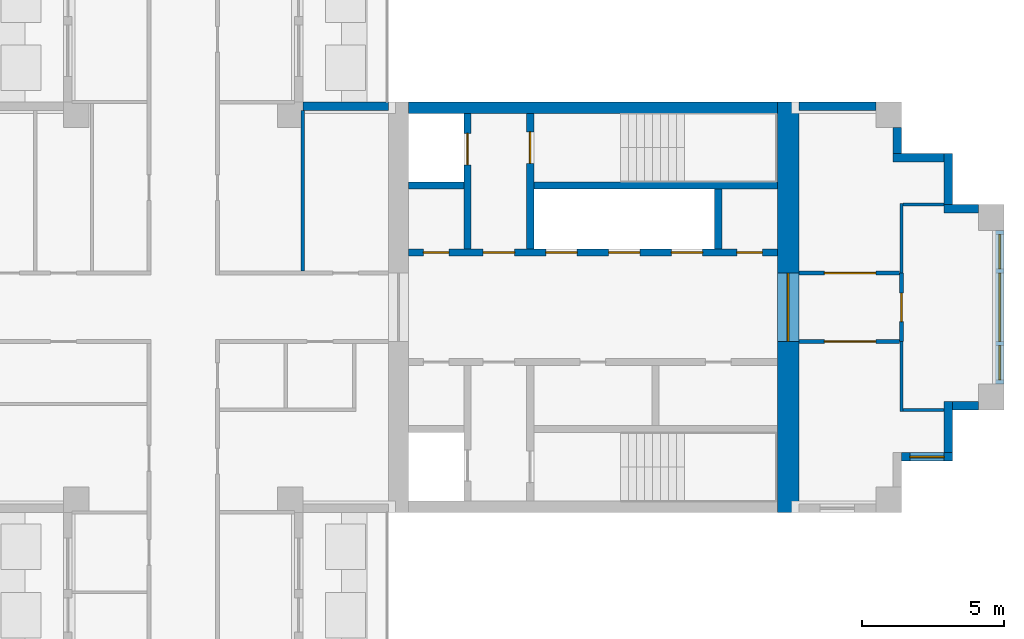
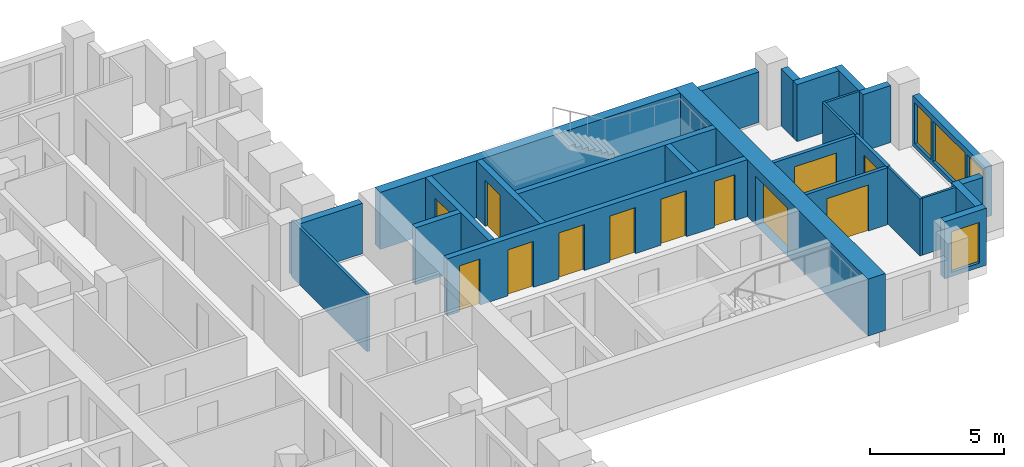
# One storey, part 6 of 10: 26 walls, 12 doors, 4 windows, 16 openings.
"""IFC4 building model written with IfcOpenShell, lengths in metres."""

from ifc_helpers import new_model, si_unit, direction, frame, frame_2d, origin, place, context, subcontext, project, spatial, rectangle, extrude, material, layer, layer_set, type_object, element, fill, save


model = new_model("IFC4")

# Units and contexts
model_context = context("Model", 3, precision=1e-05, world=origin(), true_north=direction((0.0, 1.0)))
body_context = subcontext(model_context, "Body", "Model", "MODEL_VIEW")
ifc_project = project(units=[si_unit("LENGTHUNIT", "METRE"), si_unit("AREAUNIT", "SQUARE_METRE"), si_unit("VOLUMEUNIT", "CUBIC_METRE"), si_unit("PLANEANGLEUNIT", "RADIAN"), si_unit("MASSUNIT", "GRAM", prefix="KILO")], contexts=[model_context])

# Site, building, storey
site_placement = place(None, origin())
site = spatial("IfcSite", under=ifc_project, at=site_placement, CompositionType="ELEMENT")
building_placement = place(site_placement, origin())
building = spatial("IfcBuilding", under=site, at=building_placement, Name="Fustian Cross Tower", CompositionType="ELEMENT")
storey_placement = place(building_placement, frame((0.0, 0.0, 204.89990234375)))
storey = spatial("IfcBuildingStorey", under=building, at=storey_placement, Name="L64", CompositionType="ELEMENT", Elevation=204.89990234375)

# Wall, opening, door
ifc_material_1 = material(Name="Plasterboard on steel stud", Category="steel")
ifc_layer_1 = layer(ifc_material_1, 0.14990234375)
ifc_layer_set_1 = layer_set([ifc_layer_1], Name="Plasterboard on steel stud")
wall_type_1 = type_object("IfcWallType", Name="COMPARTMENT WALL 150 EI 60", PredefinedType="PARTITIONING", material=ifc_layer_set_1)
wall_1_placement = place(storey_placement, frame((21.60009765625, -1.199951171875, 0.0), z_axis=(0.0, 0.0, 1.0), x_axis=(1.0, 0.0, 0.0)))
wall_1 = element("IfcWall", 1, at=wall_1_placement, inside=storey, type_object=wall_type_1, Name="Partition 48", PredefinedType="PARTITIONING", context=body_context, shape_type="SweptSolid", body=[
    extrude(rectangle(XDim=3.52490234375, YDim=0.14990234375, at=frame_2d((1.762451171875, 0.0))), origin(), (0.0, 0.0, 1.0), 2.60009765625),
])
opening_1_placement = place(wall_1_placement, frame((0.89990234375, 0.0, 0.0)))
opening_1 = element("IfcOpeningElement", 2, at=opening_1_placement, cuts=wall_1, Name="Opening D29013", PredefinedType="OPENING", context=body_context, shape_type="SweptSolid", body=[
    extrude(rectangle(XDim=1.800048828125, YDim=2.10009765625, at=frame_2d((0.89990234375, 1.050048828125))), frame((0.0, 0.0849609375, 0.0), z_axis=(0.0, -1.0, 0.0), x_axis=(1.0, 0.0, 0.0)), (0.0, 0.0, 1.0), 0.169921875),
])
ifc_material_2 = material(Name="Timber fire door set", Category="wood")
door_type_1 = type_object("IfcDoorType", Name="FIRE DOUBLE DOOR 1800 FD30S", OperationType="DOUBLE_DOOR_DOUBLE_SWING", PredefinedType="DOOR", material=ifc_material_2)
door_1_placement = place(opening_1_placement, origin())
door_1 = element("IfcDoor", 3, at=door_1_placement, inside=storey, type_object=door_type_1, Name="Door D29013", OperationType="DOUBLE_DOOR_DOUBLE_SWING", OverallHeight=2.10009765625, OverallWidth=1.800048828125, PredefinedType="DOOR", context=body_context, shape_type="SweptSolid", body=[
    extrude(rectangle(XDim=1.800048828125, YDim=2.10009765625, at=frame_2d((0.89990234375, 1.050048828125))), frame((0.0, 0.02490234375, 0.0), z_axis=(0.0, -1.0, 0.0), x_axis=(1.0, 0.0, 0.0)), (0.0, 0.0, 1.0), 0.050048828125),
])
fill(opening_1, door_1)

wall_2_placement = place(storey_placement, frame((21.60009765625, 1.199951171875, 0.0), z_axis=(0.0, 0.0, 1.0), x_axis=(1.0, 0.0, 0.0)))
wall_2 = element("IfcWall", 4, at=wall_2_placement, inside=storey, type_object=wall_type_1, Name="Partition 49", PredefinedType="PARTITIONING", context=body_context, shape_type="SweptSolid", body=[
    extrude(rectangle(XDim=3.52490234375, YDim=0.14990234375, at=frame_2d((1.762451171875, 0.0))), origin(), (0.0, 0.0, 1.0), 2.60009765625),
])
opening_2_placement = place(wall_2_placement, frame((0.89990234375, 0.0, 0.0)))
opening_2 = element("IfcOpeningElement", 5, at=opening_2_placement, cuts=wall_2, Name="Opening D29012", PredefinedType="OPENING", context=body_context, shape_type="SweptSolid", body=[
    extrude(rectangle(XDim=1.800048828125, YDim=2.10009765625, at=frame_2d((0.89990234375, 1.050048828125))), frame((0.0, 0.0849609375, 0.0), z_axis=(0.0, -1.0, 0.0), x_axis=(1.0, 0.0, 0.0)), (0.0, 0.0, 1.0), 0.169921875),
])
door_2_placement = place(opening_2_placement, frame((1.800048828125, 0.0, 0.0), z_axis=(0.0, 0.0, 1.0), x_axis=(-1.0, 0.0, 0.0)))
door_2 = element("IfcDoor", 6, at=door_2_placement, inside=storey, type_object=door_type_1, Name="Door D29012", OperationType="DOUBLE_DOOR_DOUBLE_SWING", OverallHeight=2.10009765625, OverallWidth=1.800048828125, PredefinedType="DOOR", context=body_context, shape_type="SweptSolid", body=[
    extrude(rectangle(XDim=1.800048828125, YDim=2.10009765625, at=frame_2d((0.89990234375, 1.050048828125))), frame((0.0, 0.02490234375, 0.0), z_axis=(0.0, -1.0, 0.0), x_axis=(1.0, 0.0, 0.0)), (0.0, 0.0, 1.0), 0.050048828125),
])
fill(opening_2, door_2)

wall_3_placement = place(storey_placement, frame((25.199951171875, -1.199951171875, 0.0), z_axis=(0.0, 0.0, 1.0), x_axis=(0.0, 1.0, 0.0)))
wall_3 = element("IfcWall", 7, at=wall_3_placement, inside=storey, type_object=wall_type_1, Name="Partition 52", PredefinedType="PARTITIONING", context=body_context, shape_type="SweptSolid", body=[
    extrude(rectangle(XDim=2.39990234375, YDim=0.14990234375, at=frame_2d((1.199951171875, 0.0))), origin(), (0.0, 0.0, 1.0), 2.60009765625),
])
opening_3_placement = place(wall_3_placement, frame((0.699951171875, 0.0, 0.0)))
opening_3 = element("IfcOpeningElement", 8, at=opening_3_placement, cuts=wall_3, Name="Opening D29011", PredefinedType="OPENING", context=body_context, shape_type="SweptSolid", body=[
    extrude(rectangle(XDim=1.0, YDim=2.10009765625, at=frame_2d((0.5, 1.050048828125))), frame((0.0, 0.0849609375, 0.0), z_axis=(0.0, -1.0, 0.0), x_axis=(1.0, 0.0, 0.0)), (0.0, 0.0, 1.0), 0.169921875),
])
ifc_material_3 = material(Name="Timber fire door set", Category="wood")
door_type_2 = type_object("IfcDoorType", Name="FIRE SWING DOOR 1000 FD30S", OperationType="SINGLE_SWING_LEFT", PredefinedType="DOOR", material=ifc_material_3)
door_3_placement = place(opening_3_placement, frame((1.0, 0.0, 0.0), z_axis=(0.0, 0.0, 1.0), x_axis=(-1.0, 0.0, 0.0)))
door_3 = element("IfcDoor", 9, at=door_3_placement, inside=storey, type_object=door_type_2, Name="Door D29011", OperationType="SINGLE_SWING_RIGHT", OverallHeight=2.10009765625, OverallWidth=1.0, PredefinedType="DOOR", context=body_context, shape_type="SweptSolid", body=[
    extrude(rectangle(XDim=1.0, YDim=2.10009765625, at=frame_2d((0.5, 1.050048828125))), frame((0.0, 0.02490234375, 0.0), z_axis=(0.0, -1.0, 0.0), x_axis=(1.0, 0.0, 0.0)), (0.0, 0.0, 1.0), 0.050048828125),
])
fill(opening_3, door_3)

ifc_material_4 = material(Name="Concrete C50/60", Category="concrete")
ifc_layer_2 = layer(ifc_material_4, 0.75)
ifc_layer_set_2 = layer_set([ifc_layer_2], Name="Concrete C50/60")
wall_type_2 = type_object("IfcWallType", Name="CORE END WALL 750 C50/60", PredefinedType="SHEAR", material=ifc_layer_set_2)
wall_4_placement = place(storey_placement, frame((21.22509765625, -7.199951171875, 0.0), z_axis=(0.0, 0.0, 1.0), x_axis=(0.0, 1.0, 0.0)))
wall_4 = element("IfcWall", 10, at=wall_4_placement, inside=storey, type_object=wall_type_2, Name="Core end wall", PredefinedType="SHEAR", context=body_context, shape_type="SweptSolid", body=[
    extrude(rectangle(XDim=14.39990234375, YDim=0.75, at=frame_2d((7.199951171875, 0.0))), origin(), (0.0, 0.0, 1.0), 2.60009765625),
])
opening_4_placement = place(wall_4_placement, frame((6.0, 0.0, 0.0)))
opening_4 = element("IfcOpeningElement", 11, at=opening_4_placement, cuts=wall_4, Name="Opening CD-27-13", PredefinedType="OPENING", context=body_context, shape_type="SweptSolid", body=[
    extrude(rectangle(XDim=2.39990234375, YDim=2.199951171875, at=frame_2d((1.199951171875, 1.10009765625))), frame((0.0, 0.385009765625, 0.0), z_axis=(0.0, -1.0, 0.0), x_axis=(1.0, 0.0, 0.0)), (0.0, 0.0, 1.0), 0.77001953125),
])
ifc_material_5 = material(Name="Steel", Category="steel")
door_type_3 = type_object("IfcDoorType", Name="FIRE DOOR FD30S DOUBLE 2400X2200", OperationType="DOUBLE_DOOR_DOUBLE_SWING", PredefinedType="DOOR", material=ifc_material_5)
door_4_placement = place(opening_4_placement, origin())
door_4 = element("IfcDoor", 12, at=door_4_placement, inside=storey, type_object=door_type_3, Name="Core door CD-27-13", OperationType="DOUBLE_DOOR_DOUBLE_SWING", OverallHeight=2.199951171875, OverallWidth=2.39990234375, PredefinedType="DOOR", context=body_context, shape_type="SweptSolid", body=[
    extrude(rectangle(XDim=2.39990234375, YDim=2.199951171875, at=frame_2d((1.199951171875, 1.10009765625))), frame((0.0, 0.02490234375, 0.0), z_axis=(0.0, -1.0, 0.0), x_axis=(1.0, 0.0, 0.0)), (0.0, 0.0, 1.0), 0.050048828125),
])
fill(opening_4, door_4)

# Wall
ifc_material_6 = material(Name="Concrete C50/60", Category="concrete")
ifc_layer_3 = layer(ifc_material_6, 0.39990234375)
ifc_layer_set_3 = layer_set([ifc_layer_3], Name="Concrete C50/60")
wall_type_3 = type_object("IfcWallType", Name="CORE FACADE WALL 400 C50/60", PredefinedType="SHEAR", material=ifc_layer_set_3)
wall_5_placement = place(storey_placement, frame((7.89990234375, 7.0, 0.0), z_axis=(0.0, 0.0, 1.0), x_axis=(1.0, 0.0, 0.0)))
element("IfcWall", 13, at=wall_5_placement, inside=storey, type_object=wall_type_3, Name="Core facade wall", PredefinedType="SHEAR", context=body_context, shape_type="SweptSolid", body=[
    extrude(rectangle(XDim=12.9501953125, YDim=0.39990234375, at=frame_2d((6.47509765625, 0.0))), origin(), (0.0, 0.0, 1.0), 2.60009765625),
])

# Wall, openings, doors
ifc_material_7 = material(Name="Concrete C50/60", Category="concrete")
ifc_layer_4 = layer(ifc_material_7, 0.25)
ifc_layer_set_4 = layer_set([ifc_layer_4], Name="Concrete C50/60")
wall_type_4 = type_object("IfcWallType", Name="CORE LOBBY WALL 250 C50/60", PredefinedType="SHEAR", material=ifc_layer_set_4)
wall_6_placement = place(storey_placement, frame((7.89990234375, 1.925048828125, 0.0), z_axis=(0.0, 0.0, 1.0), x_axis=(1.0, 0.0, 0.0)))
wall_6 = element("IfcWall", 14, at=wall_6_placement, inside=storey, type_object=wall_type_4, Name="Core lobby wall", PredefinedType="SHEAR", context=body_context, shape_type="SweptSolid", body=[
    extrude(rectangle(XDim=12.9501953125, YDim=0.25, at=frame_2d((6.47509765625, 0.0))), origin(), (0.0, 0.0, 1.0), 2.60009765625),
])
opening_5_placement = place(wall_6_placement, frame((4.824951171875, 0.0, 0.0)))
opening_5 = element("IfcOpeningElement", 15, at=opening_5_placement, cuts=wall_6, Name="Opening LD", PredefinedType="OPENING", context=body_context, shape_type="SweptSolid", body=[
    extrude(rectangle(XDim=1.10009765625, YDim=2.10009765625, at=frame_2d((0.550048828125, 1.050048828125))), frame((0.0, 0.135009765625, 0.0), z_axis=(0.0, -1.0, 0.0), x_axis=(1.0, 0.0, 0.0)), (0.0, 0.0, 1.0), 0.27001953125),
])
opening_6_placement = place(wall_6_placement, frame((7.02490234375, 0.0, 0.0)))
opening_6 = element("IfcOpeningElement", 16, at=opening_6_placement, cuts=wall_6, Name="Opening LD", PredefinedType="OPENING", context=body_context, shape_type="SweptSolid", body=[
    extrude(rectangle(XDim=1.10009765625, YDim=2.10009765625, at=frame_2d((0.550048828125, 1.050048828125))), frame((0.0, 0.135009765625, 0.0), z_axis=(0.0, -1.0, 0.0), x_axis=(1.0, 0.0, 0.0)), (0.0, 0.0, 1.0), 0.27001953125),
])
opening_7_placement = place(wall_6_placement, frame((9.22509765625, 0.0, 0.0)))
opening_7 = element("IfcOpeningElement", 17, at=opening_7_placement, cuts=wall_6, Name="Opening LD", PredefinedType="OPENING", context=body_context, shape_type="SweptSolid", body=[
    extrude(rectangle(XDim=1.10009765625, YDim=2.10009765625, at=frame_2d((0.550048828125, 1.050048828125))), frame((0.0, 0.135009765625, 0.0), z_axis=(0.0, -1.0, 0.0), x_axis=(1.0, 0.0, 0.0)), (0.0, 0.0, 1.0), 0.27001953125),
])
opening_8_placement = place(wall_6_placement, frame((0.52490234375, 0.0, 0.0)))
opening_8 = element("IfcOpeningElement", 18, at=opening_8_placement, cuts=wall_6, Name="Opening CD-27-08", PredefinedType="OPENING", context=body_context, shape_type="SweptSolid", body=[
    extrude(rectangle(XDim=0.89990234375, YDim=2.10009765625, at=frame_2d((0.449951171875, 1.050048828125))), frame((0.0, 0.135009765625, 0.0), z_axis=(0.0, -1.0, 0.0), x_axis=(1.0, 0.0, 0.0)), (0.0, 0.0, 1.0), 0.27001953125),
])
opening_9_placement = place(wall_6_placement, frame((2.625, 0.0, 0.0)))
opening_9 = element("IfcOpeningElement", 19, at=opening_9_placement, cuts=wall_6, Name="Opening CD-27-10", PredefinedType="OPENING", context=body_context, shape_type="SweptSolid", body=[
    extrude(rectangle(XDim=1.10009765625, YDim=2.10009765625, at=frame_2d((0.550048828125, 1.050048828125))), frame((0.0, 0.135009765625, 0.0), z_axis=(0.0, -1.0, 0.0), x_axis=(1.0, 0.0, 0.0)), (0.0, 0.0, 1.0), 0.27001953125),
])
opening_10_placement = place(wall_6_placement, frame((11.52490234375, 0.0, 0.0)))
opening_10 = element("IfcOpeningElement", 20, at=opening_10_placement, cuts=wall_6, Name="Opening CD-27-14", PredefinedType="OPENING", context=body_context, shape_type="SweptSolid", body=[
    extrude(rectangle(XDim=0.89990234375, YDim=2.10009765625, at=frame_2d((0.449951171875, 1.050048828125))), frame((0.0, 0.135009765625, 0.0), z_axis=(0.0, -1.0, 0.0), x_axis=(1.0, 0.0, 0.0)), (0.0, 0.0, 1.0), 0.27001953125),
])
ifc_material_8 = material(Name="Steel", Category="steel")
door_type_4 = type_object("IfcDoorType", Name="FIRE DOOR FD30S 900X2100", OperationType="SINGLE_SWING_LEFT", PredefinedType="DOOR", material=ifc_material_8)
door_5_placement = place(opening_10_placement, origin())
door_5 = element("IfcDoor", 21, at=door_5_placement, inside=storey, type_object=door_type_4, Name="Core door CD-27-14", OperationType="SINGLE_SWING_LEFT", OverallHeight=2.10009765625, OverallWidth=0.89990234375, PredefinedType="DOOR", context=body_context, shape_type="SweptSolid", body=[
    extrude(rectangle(XDim=0.89990234375, YDim=2.10009765625, at=frame_2d((0.449951171875, 1.050048828125))), frame((0.0, 0.02490234375, 0.0), z_axis=(0.0, -1.0, 0.0), x_axis=(1.0, 0.0, 0.0)), (0.0, 0.0, 1.0), 0.050048828125),
])
fill(opening_10, door_5)
ifc_material_9 = material(Name="Steel", Category="steel")
door_type_5 = type_object("IfcDoorType", Name="FIRE DOOR FD60S 1100X2100", OperationType="SINGLE_SWING_LEFT", PredefinedType="DOOR", material=ifc_material_9)
door_6_placement = place(opening_9_placement, frame((1.10009765625, 0.0, 0.0), z_axis=(0.0, 0.0, 1.0), x_axis=(-1.0, 0.0, 0.0)))
door_6 = element("IfcDoor", 22, at=door_6_placement, inside=storey, type_object=door_type_5, Name="Core door CD-27-10", OperationType="SINGLE_SWING_RIGHT", OverallHeight=2.10009765625, OverallWidth=1.10009765625, PredefinedType="DOOR", context=body_context, shape_type="SweptSolid", body=[
    extrude(rectangle(XDim=1.10009765625, YDim=2.10009765625, at=frame_2d((0.550048828125, 1.050048828125))), frame((0.0, 0.02490234375, 0.0), z_axis=(0.0, -1.0, 0.0), x_axis=(1.0, 0.0, 0.0)), (0.0, 0.0, 1.0), 0.050048828125),
])
fill(opening_9, door_6)
ifc_material_10 = material(Name="Steel", Category="steel")
door_type_6 = type_object("IfcDoorType", Name="FIRE DOOR FD60S 900X2100", OperationType="SINGLE_SWING_LEFT", PredefinedType="DOOR", material=ifc_material_10)
door_7_placement = place(opening_8_placement, origin())
door_7 = element("IfcDoor", 23, at=door_7_placement, inside=storey, type_object=door_type_6, Name="Core door CD-27-08", OperationType="SINGLE_SWING_LEFT", OverallHeight=2.10009765625, OverallWidth=0.89990234375, PredefinedType="DOOR", context=body_context, shape_type="SweptSolid", body=[
    extrude(rectangle(XDim=0.89990234375, YDim=2.10009765625, at=frame_2d((0.449951171875, 1.050048828125))), frame((0.0, 0.02490234375, 0.0), z_axis=(0.0, -1.0, 0.0), x_axis=(1.0, 0.0, 0.0)), (0.0, 0.0, 1.0), 0.050048828125),
])
fill(opening_8, door_7)
ifc_material_11 = material(Name="Stainless steel", Category="steel")
door_type_7 = type_object("IfcDoorType", Name="LIFT LANDING DOOR 1100X2100", OperationType="SLIDING_TO_LEFT", PredefinedType="DOOR", material=ifc_material_11)
door_8_placement = place(opening_5_placement, origin())
door_8 = element("IfcDoor", 24, at=door_8_placement, inside=storey, type_object=door_type_7, Name="Landing door HR1", OperationType="SLIDING_TO_LEFT", OverallHeight=2.10009765625, OverallWidth=1.10009765625, PredefinedType="DOOR", context=body_context, shape_type="SweptSolid", body=[
    extrude(rectangle(XDim=1.10009765625, YDim=2.10009765625, at=frame_2d((0.550048828125, 1.050048828125))), frame((0.0, 0.02490234375, 0.0), z_axis=(0.0, -1.0, 0.0), x_axis=(1.0, 0.0, 0.0)), (0.0, 0.0, 1.0), 0.050048828125),
])
fill(opening_5, door_8)
door_9_placement = place(opening_6_placement, origin())
door_9 = element("IfcDoor", 25, at=door_9_placement, inside=storey, type_object=door_type_7, Name="Landing door HR2", OperationType="SLIDING_TO_LEFT", OverallHeight=2.10009765625, OverallWidth=1.10009765625, PredefinedType="DOOR", context=body_context, shape_type="SweptSolid", body=[
    extrude(rectangle(XDim=1.10009765625, YDim=2.10009765625, at=frame_2d((0.550048828125, 1.050048828125))), frame((0.0, 0.02490234375, 0.0), z_axis=(0.0, -1.0, 0.0), x_axis=(1.0, 0.0, 0.0)), (0.0, 0.0, 1.0), 0.050048828125),
])
fill(opening_6, door_9)
door_10_placement = place(opening_7_placement, origin())
door_10 = element("IfcDoor", 26, at=door_10_placement, inside=storey, type_object=door_type_7, Name="Landing door HR3", OperationType="SLIDING_TO_LEFT", OverallHeight=2.10009765625, OverallWidth=1.10009765625, PredefinedType="DOOR", context=body_context, shape_type="SweptSolid", body=[
    extrude(rectangle(XDim=1.10009765625, YDim=2.10009765625, at=frame_2d((0.550048828125, 1.050048828125))), frame((0.0, 0.02490234375, 0.0), z_axis=(0.0, -1.0, 0.0), x_axis=(1.0, 0.0, 0.0)), (0.0, 0.0, 1.0), 0.050048828125),
])
fill(opening_7, door_10)

# Walls
ifc_material_12 = material(Name="Concrete C50/60", Category="concrete")
ifc_layer_5 = layer(ifc_material_12, 0.25)
ifc_layer_set_5 = layer_set([ifc_layer_5], Name="Concrete C50/60")
wall_type_5 = type_object("IfcWallType", Name="CORE SHAFT WALL 250 C50/60", PredefinedType="SHEAR", material=ifc_layer_set_5)
wall_7_placement = place(storey_placement, frame((7.89990234375, 4.27490234375, 0.0), z_axis=(0.0, 0.0, 1.0), x_axis=(1.0, 0.0, 0.0)))
element("IfcWall", 27, at=wall_7_placement, inside=storey, type_object=wall_type_5, Name="Core shaft wall", PredefinedType="SHEAR", context=body_context, shape_type="SweptSolid", body=[
    extrude(rectangle(XDim=1.9501953125, YDim=0.25, at=frame_2d((0.97509765625, 0.0))), origin(), (0.0, 0.0, 1.0), 2.60009765625),
])
wall_8_placement = place(storey_placement, frame((12.300048828125, 4.27490234375, 0.0), z_axis=(0.0, 0.0, 1.0), x_axis=(1.0, 0.0, 0.0)))
element("IfcWall", 28, at=wall_8_placement, inside=storey, type_object=wall_type_5, Name="Core shaft wall", PredefinedType="SHEAR", context=body_context, shape_type="SweptSolid", body=[
    extrude(rectangle(XDim=8.550048828125, YDim=0.25, at=frame_2d((4.27490234375, 0.0))), origin(), (0.0, 0.0, 1.0), 2.60009765625),
])

# Wall, opening, door
wall_9_placement = place(storey_placement, frame((9.97509765625, 2.050048828125, 0.0), z_axis=(0.0, 0.0, 1.0), x_axis=(0.0, 1.0, 0.0)))
wall_9 = element("IfcWall", 29, at=wall_9_placement, inside=storey, type_object=wall_type_5, Name="Core shaft wall", PredefinedType="SHEAR", context=body_context, shape_type="SweptSolid", body=[
    extrude(rectangle(XDim=4.75, YDim=0.25, at=frame_2d((2.375, 0.0))), origin(), (0.0, 0.0, 1.0), 2.60009765625),
])
opening_11_placement = place(wall_9_placement, frame((2.949951171875, 0.0, 0.0)))
opening_11 = element("IfcOpeningElement", 30, at=opening_11_placement, cuts=wall_9, Name="Opening LD", PredefinedType="OPENING", context=body_context, shape_type="SweptSolid", body=[
    extrude(rectangle(XDim=1.10009765625, YDim=2.10009765625, at=frame_2d((0.550048828125, 1.050048828125))), frame((0.0, 0.135009765625, 0.0), z_axis=(0.0, -1.0, 0.0), x_axis=(1.0, 0.0, 0.0)), (0.0, 0.0, 1.0), 0.27001953125),
])
door_11_placement = place(opening_11_placement, origin())
door_11 = element("IfcDoor", 31, at=door_11_placement, inside=storey, type_object=door_type_7, Name="Landing door FL1", OperationType="SLIDING_TO_LEFT", OverallHeight=2.10009765625, OverallWidth=1.10009765625, PredefinedType="DOOR", context=body_context, shape_type="SweptSolid", body=[
    extrude(rectangle(XDim=1.10009765625, YDim=2.10009765625, at=frame_2d((0.550048828125, 1.050048828125))), frame((0.0, 0.02490234375, 0.0), z_axis=(0.0, -1.0, 0.0), x_axis=(1.0, 0.0, 0.0)), (0.0, 0.0, 1.0), 0.050048828125),
])
fill(opening_11, door_11)

wall_10_placement = place(storey_placement, frame((12.175048828125, 2.050048828125, 0.0), z_axis=(0.0, 0.0, 1.0), x_axis=(0.0, 1.0, 0.0)))
wall_10 = element("IfcWall", 32, at=wall_10_placement, inside=storey, type_object=wall_type_5, Name="Core shaft wall", PredefinedType="SHEAR", context=body_context, shape_type="SweptSolid", body=[
    extrude(rectangle(XDim=4.75, YDim=0.25, at=frame_2d((2.375, 0.0))), origin(), (0.0, 0.0, 1.0), 2.60009765625),
])
opening_12_placement = place(wall_10_placement, frame((3.0, 0.0, 0.0)))
opening_12 = element("IfcOpeningElement", 33, at=opening_12_placement, cuts=wall_10, Name="Opening CD-27-06", PredefinedType="OPENING", context=body_context, shape_type="SweptSolid", body=[
    extrude(rectangle(XDim=1.10009765625, YDim=2.10009765625, at=frame_2d((0.550048828125, 1.050048828125))), frame((0.0, 0.135009765625, 0.0), z_axis=(0.0, -1.0, 0.0), x_axis=(1.0, 0.0, 0.0)), (0.0, 0.0, 1.0), 0.27001953125),
])
door_12_placement = place(opening_12_placement, frame((1.10009765625, 0.0, 0.0), z_axis=(0.0, 0.0, 1.0), x_axis=(-1.0, 0.0, 0.0)))
door_12 = element("IfcDoor", 34, at=door_12_placement, inside=storey, type_object=door_type_5, Name="Core door CD-27-06", OperationType="SINGLE_SWING_RIGHT", OverallHeight=2.10009765625, OverallWidth=1.10009765625, PredefinedType="DOOR", context=body_context, shape_type="SweptSolid", body=[
    extrude(rectangle(XDim=1.10009765625, YDim=2.10009765625, at=frame_2d((0.550048828125, 1.050048828125))), frame((0.0, 0.02490234375, 0.0), z_axis=(0.0, -1.0, 0.0), x_axis=(1.0, 0.0, 0.0)), (0.0, 0.0, 1.0), 0.050048828125),
])
fill(opening_12, door_12)

# Walls
ifc_material_13 = material(Name="Plasterboard on steel stud", Category="steel")
ifc_layer_6 = layer(ifc_material_13, 0.10009765625)
ifc_layer_set_6 = layer_set([ifc_layer_6], Name="Plasterboard on steel stud")
wall_type_6 = type_object("IfcWallType", Name="PARTITION 100 STUD", PredefinedType="PARTITIONING", material=ifc_layer_set_6)
wall_11_placement = place(storey_placement, frame((25.199951171875, -3.64990234375, 0.0), z_axis=(0.0, 0.0, 1.0), x_axis=(0.0, 1.0, 0.0)))
element("IfcWall", 35, at=wall_11_placement, inside=storey, type_object=wall_type_6, Name="Partition 50", PredefinedType="PARTITIONING", context=body_context, shape_type="SweptSolid", body=[
    extrude(rectangle(XDim=2.449951171875, YDim=0.10009765625, at=frame_2d((1.22509765625, 0.0))), origin(), (0.0, 0.0, 1.0), 2.60009765625),
])
wall_12_placement = place(storey_placement, frame((25.25, -3.60009765625, 0.0), z_axis=(0.0, 0.0, 1.0), x_axis=(1.0, 0.0, 0.0)))
element("IfcWall", 36, at=wall_12_placement, inside=storey, type_object=wall_type_6, Name="Partition 51", PredefinedType="PARTITIONING", context=body_context, shape_type="SweptSolid", body=[
    extrude(rectangle(XDim=1.449951171875, YDim=0.10009765625, at=frame_2d((0.72509765625, 0.0))), origin(), (0.0, 0.0, 1.0), 2.60009765625),
])
wall_13_placement = place(storey_placement, frame((25.199951171875, 1.199951171875, 0.0), z_axis=(0.0, 0.0, 1.0), x_axis=(0.0, 1.0, 0.0)))
element("IfcWall", 37, at=wall_13_placement, inside=storey, type_object=wall_type_6, Name="Partition 53", PredefinedType="PARTITIONING", context=body_context, shape_type="SweptSolid", body=[
    extrude(rectangle(XDim=2.449951171875, YDim=0.10009765625, at=frame_2d((1.22509765625, 0.0))), origin(), (0.0, 0.0, 1.0), 2.60009765625),
])
wall_14_placement = place(storey_placement, frame((25.25, 3.60009765625, 0.0), z_axis=(0.0, 0.0, 1.0), x_axis=(1.0, 0.0, 0.0)))
element("IfcWall", 38, at=wall_14_placement, inside=storey, type_object=wall_type_6, Name="Partition 54", PredefinedType="PARTITIONING", context=body_context, shape_type="SweptSolid", body=[
    extrude(rectangle(XDim=1.449951171875, YDim=0.10009765625, at=frame_2d((0.72509765625, 0.0))), origin(), (0.0, 0.0, 1.0), 2.60009765625),
])
ifc_material_14 = material(Name="Concrete C40/50", Category="concrete")
ifc_layer_7 = layer(ifc_material_14, 0.25)
ifc_layer_set_7 = layer_set([ifc_layer_7], Name="Concrete C40/50")
wall_type_7 = type_object("IfcWallType", Name="SHAFT PARTITION WALL 250 C40/50", PredefinedType="PARTITIONING", material=ifc_layer_set_7)
wall_15_placement = place(storey_placement, frame((18.77490234375, 2.050048828125, 0.0), z_axis=(0.0, 0.0, 1.0), x_axis=(0.0, 1.0, 0.0)))
element("IfcWall", 39, at=wall_15_placement, inside=storey, type_object=wall_type_7, Name="Core shaft wall", PredefinedType="PARTITIONING", context=body_context, shape_type="SweptSolid", body=[
    extrude(rectangle(XDim=2.099853515625, YDim=0.25, at=frame_2d((1.0498046875, 0.0))), origin(), (0.0, 0.0, 1.0), 2.60009765625),
])
ifc_material_15 = material(Name="Plasterboard on steel stud", Category="steel")
ifc_layer_8 = layer(ifc_material_15, 0.125)
ifc_layer_set_8 = layer_set([ifc_layer_8], Name="Plasterboard on steel stud")
wall_type_8 = type_object("IfcWallType", Name="WET WALL 125 STUD", PredefinedType="PARTITIONING", material=ifc_layer_set_8)
wall_16_placement = place(storey_placement, frame((4.199951171875, 1.27490234375, 0.0), z_axis=(0.0, 0.0, 1.0), x_axis=(0.0, 1.0, 0.0)))
element("IfcWall", 40, at=wall_16_placement, inside=storey, type_object=wall_type_8, Name="Partition 46", PredefinedType="PARTITIONING", context=body_context, shape_type="SweptSolid", body=[
    extrude(rectangle(XDim=5.625, YDim=0.125, at=frame_2d((2.8125, 0.0))), origin(), (0.0, 0.0, 1.0), 2.60009765625),
])

# Wall, opening, window
ifc_material_16 = material(Name="Dark aluminium cladding on insulated backing wall", Category="aluminium")
ifc_layer_9 = layer(ifc_material_16, 0.300048828125)
ifc_layer_set_9 = layer_set([ifc_layer_9], Name="Dark aluminium cladding on insulated backing wall")
wall_type_9 = type_object("IfcWallType", Name="XW1 EXTERNAL WALL 300", PredefinedType="SOLIDWALL", material=ifc_layer_set_9)
wall_17_placement = place(storey_placement, frame((25.199951171875, -5.25, 0.0), z_axis=(0.0, 0.0, 1.0), x_axis=(1.0, 0.0, 0.0)))
wall_17 = element("IfcWall", 41, at=wall_17_placement, inside=storey, type_object=wall_type_9, Name="External wall", PredefinedType="SOLIDWALL", context=body_context, shape_type="SweptSolid", body=[
    extrude(rectangle(XDim=1.800048828125, YDim=0.300048828125, at=frame_2d((0.89990234375, 0.0))), origin(), (0.0, 0.0, 1.0), 2.60009765625),
])
opening_13_placement = place(wall_17_placement, frame((0.300048828125, 0.0, 0.199951171875)))
opening_13 = element("IfcOpeningElement", 42, at=opening_13_placement, cuts=wall_17, Name="Opening WN3", PredefinedType="OPENING", context=body_context, shape_type="SweptSolid", body=[
    extrude(rectangle(XDim=1.199951171875, YDim=1.85009765625, at=frame_2d((0.60009765625, 0.925048828125))), frame((0.0, 0.159912109375, 0.0), z_axis=(0.0, -1.0, 0.0), x_axis=(1.0, 0.0, 0.0)), (0.0, 0.0, 1.0), 0.320068359375),
])
ifc_material_17 = material(Name="Dark anodised aluminium and double glazing", Category="aluminium")
window_type_1 = type_object("IfcWindowType", Name="WN3 WINDOW 1200X1850", PartitioningType="SINGLE_PANEL", PredefinedType="WINDOW", material=ifc_material_17)
window_1_placement = place(opening_13_placement, origin())
window_1 = element("IfcWindow", 43, at=window_1_placement, inside=storey, type_object=window_type_1, Name="Window", OverallHeight=1.85009765625, OverallWidth=1.199951171875, PartitioningType="SINGLE_PANEL", PredefinedType="WINDOW", context=body_context, shape_type="SweptSolid", body=[
    extrude(rectangle(XDim=1.199951171875, YDim=1.85009765625, at=frame_2d((0.60009765625, 0.925048828125))), frame((0.0, 0.030029296875, 0.0), z_axis=(0.0, -1.0, 0.0), x_axis=(1.0, 0.0, 0.0)), (0.0, 0.0, 1.0), 0.06005859375),
])
fill(opening_13, window_1)

# Walls
wall_18_placement = place(storey_placement, frame((26.85009765625, -5.10009765625, 0.0), z_axis=(0.0, 0.0, 1.0), x_axis=(0.0, 1.0, 0.0)))
element("IfcWall", 44, at=wall_18_placement, inside=storey, type_object=wall_type_9, Name="External wall", PredefinedType="SOLIDWALL", context=body_context, shape_type="SweptSolid", body=[
    extrude(rectangle(XDim=1.800048828125, YDim=0.300048828125, at=frame_2d((0.89990234375, 0.0))), origin(), (0.0, 0.0, 1.0), 2.60009765625),
])
wall_19_placement = place(storey_placement, frame((27.0, -3.449951171875, 0.0), z_axis=(0.0, 0.0, 1.0), x_axis=(1.0, 0.0, 0.0)))
element("IfcWall", 45, at=wall_19_placement, inside=storey, type_object=wall_type_9, Name="External wall", PredefinedType="SOLIDWALL", context=body_context, shape_type="SweptSolid", body=[
    extrude(rectangle(XDim=0.89990234375, YDim=0.300048828125, at=frame_2d((0.449951171875, 0.0))), origin(), (0.0, 0.0, 1.0), 2.60009765625),
])

# Wall, openings, windows
wall_20_placement = place(storey_placement, frame((28.64990234375, -2.699951171875, 0.0), z_axis=(0.0, 0.0, 1.0), x_axis=(0.0, 1.0, 0.0)))
wall_20 = element("IfcWall", 46, at=wall_20_placement, inside=storey, type_object=wall_type_9, Name="External wall", PredefinedType="SOLIDWALL", context=body_context, shape_type="SweptSolid", body=[
    extrude(rectangle(XDim=5.39990234375, YDim=0.300048828125, at=frame_2d((2.699951171875, 0.0))), origin(), (0.0, 0.0, 1.0), 2.300048828125),
])
opening_14_placement = place(wall_20_placement, frame((1.5, 0.0, 0.199951171875)))
opening_14 = element("IfcOpeningElement", 47, at=opening_14_placement, cuts=wall_20, Name="Opening WN1", PredefinedType="OPENING", context=body_context, shape_type="SweptSolid", body=[
    extrude(rectangle(XDim=2.39990234375, YDim=1.85009765625, at=frame_2d((1.199951171875, 0.925048828125))), frame((0.0, 0.159912109375, 0.0), z_axis=(0.0, -1.0, 0.0), x_axis=(1.0, 0.0, 0.0)), (0.0, 0.0, 1.0), 0.320068359375),
])
opening_15_placement = place(wall_20_placement, frame((0.14990234375, 0.0, 0.199951171875)))
opening_15 = element("IfcOpeningElement", 48, at=opening_15_placement, cuts=wall_20, Name="Opening WN3", PredefinedType="OPENING", context=body_context, shape_type="SweptSolid", body=[
    extrude(rectangle(XDim=1.199951171875, YDim=1.85009765625, at=frame_2d((0.60009765625, 0.925048828125))), frame((0.0, 0.159912109375, 0.0), z_axis=(0.0, -1.0, 0.0), x_axis=(1.0, 0.0, 0.0)), (0.0, 0.0, 1.0), 0.320068359375),
])
opening_16_placement = place(wall_20_placement, frame((4.050048828125, 0.0, 0.199951171875)))
opening_16 = element("IfcOpeningElement", 49, at=opening_16_placement, cuts=wall_20, Name="Opening WN3", PredefinedType="OPENING", context=body_context, shape_type="SweptSolid", body=[
    extrude(rectangle(XDim=1.199951171875, YDim=1.85009765625, at=frame_2d((0.60009765625, 0.925048828125))), frame((0.0, 0.159912109375, 0.0), z_axis=(0.0, -1.0, 0.0), x_axis=(1.0, 0.0, 0.0)), (0.0, 0.0, 1.0), 0.320068359375),
])
ifc_material_18 = material(Name="Dark anodised aluminium and double glazing", Category="aluminium")
window_type_2 = type_object("IfcWindowType", Name="WN1 WINDOW 2400X1850", PartitioningType="SINGLE_PANEL", PredefinedType="WINDOW", material=ifc_material_18)
window_2_placement = place(opening_14_placement, origin())
window_2 = element("IfcWindow", 50, at=window_2_placement, inside=storey, type_object=window_type_2, Name="Window", OverallHeight=1.85009765625, OverallWidth=2.39990234375, PartitioningType="SINGLE_PANEL", PredefinedType="WINDOW", context=body_context, shape_type="SweptSolid", body=[
    extrude(rectangle(XDim=2.39990234375, YDim=1.85009765625, at=frame_2d((1.199951171875, 0.925048828125))), frame((0.0, 0.030029296875, 0.0), z_axis=(0.0, -1.0, 0.0), x_axis=(1.0, 0.0, 0.0)), (0.0, 0.0, 1.0), 0.06005859375),
])
fill(opening_14, window_2)
window_3_placement = place(opening_15_placement, origin())
window_3 = element("IfcWindow", 51, at=window_3_placement, inside=storey, type_object=window_type_1, Name="Window", OverallHeight=1.85009765625, OverallWidth=1.199951171875, PartitioningType="SINGLE_PANEL", PredefinedType="WINDOW", context=body_context, shape_type="SweptSolid", body=[
    extrude(rectangle(XDim=1.199951171875, YDim=1.85009765625, at=frame_2d((0.60009765625, 0.925048828125))), frame((0.0, 0.030029296875, 0.0), z_axis=(0.0, -1.0, 0.0), x_axis=(1.0, 0.0, 0.0)), (0.0, 0.0, 1.0), 0.06005859375),
])
fill(opening_15, window_3)
window_4_placement = place(opening_16_placement, origin())
window_4 = element("IfcWindow", 52, at=window_4_placement, inside=storey, type_object=window_type_1, Name="Window", OverallHeight=1.85009765625, OverallWidth=1.199951171875, PartitioningType="SINGLE_PANEL", PredefinedType="WINDOW", context=body_context, shape_type="SweptSolid", body=[
    extrude(rectangle(XDim=1.199951171875, YDim=1.85009765625, at=frame_2d((0.60009765625, 0.925048828125))), frame((0.0, 0.030029296875, 0.0), z_axis=(0.0, -1.0, 0.0), x_axis=(1.0, 0.0, 0.0)), (0.0, 0.0, 1.0), 0.06005859375),
])
fill(opening_16, window_4)

# Walls
wall_21_placement = place(storey_placement, frame((27.89990234375, 3.449951171875, 0.0), z_axis=(0.0, 0.0, 1.0), x_axis=(-1.0, 0.0, 0.0)))
element("IfcWall", 53, at=wall_21_placement, inside=storey, type_object=wall_type_9, Name="External wall", PredefinedType="SOLIDWALL", context=body_context, shape_type="SweptSolid", body=[
    extrude(rectangle(XDim=1.199951171875, YDim=0.300048828125, at=frame_2d((0.60009765625, 0.0))), origin(), (0.0, 0.0, 1.0), 2.60009765625),
])
wall_22_placement = place(storey_placement, frame((26.85009765625, 3.60009765625, 0.0), z_axis=(0.0, 0.0, 1.0), x_axis=(0.0, 1.0, 0.0)))
element("IfcWall", 54, at=wall_22_placement, inside=storey, type_object=wall_type_9, Name="External wall", PredefinedType="SOLIDWALL", context=body_context, shape_type="SweptSolid", body=[
    extrude(rectangle(XDim=1.7998046875, YDim=0.300048828125, at=frame_2d((0.89990234375, 0.0))), origin(), (0.0, 0.0, 1.0), 2.60009765625),
])
wall_23_placement = place(storey_placement, frame((26.699951171875, 5.25, 0.0), z_axis=(0.0, 0.0, 1.0), x_axis=(-1.0, 0.0, 0.0)))
element("IfcWall", 55, at=wall_23_placement, inside=storey, type_object=wall_type_9, Name="External wall", PredefinedType="SOLIDWALL", context=body_context, shape_type="SweptSolid", body=[
    extrude(rectangle(XDim=1.800048828125, YDim=0.300048828125, at=frame_2d((0.89990234375, 0.0))), origin(), (0.0, 0.0, 1.0), 2.60009765625),
])
wall_24_placement = place(storey_placement, frame((25.050048828125, 5.39990234375, 0.0), z_axis=(0.0, 0.0, 1.0), x_axis=(0.0, 1.0, 0.0)))
element("IfcWall", 56, at=wall_24_placement, inside=storey, type_object=wall_type_9, Name="External wall", PredefinedType="SOLIDWALL", context=body_context, shape_type="SweptSolid", body=[
    extrude(rectangle(XDim=0.900146484375, YDim=0.300048828125, at=frame_2d((0.4501953125, 0.0))), origin(), (0.0, 0.0, 1.0), 2.60009765625),
])
wall_25_placement = place(storey_placement, frame((24.300048828125, 7.050048828125, 0.0), z_axis=(0.0, 0.0, 1.0), x_axis=(-1.0, 0.0, 0.0)))
element("IfcWall", 57, at=wall_25_placement, inside=storey, type_object=wall_type_9, Name="External wall", PredefinedType="SOLIDWALL", context=body_context, shape_type="SweptSolid", body=[
    extrude(rectangle(XDim=2.699951171875, YDim=0.300048828125, at=frame_2d((1.35009765625, 0.0))), origin(), (0.0, 0.0, 1.0), 2.300048828125),
])
wall_26_placement = place(storey_placement, frame((7.199951171875, 7.050048828125, 0.0), z_axis=(0.0, 0.0, 1.0), x_axis=(-1.0, 0.0, 0.0)))
element("IfcWall", 58, at=wall_26_placement, inside=storey, type_object=wall_type_9, Name="External wall", PredefinedType="SOLIDWALL", context=body_context, shape_type="SweptSolid", body=[
    extrude(rectangle(XDim=3.0, YDim=0.300048828125, at=frame_2d((1.5, 0.0))), origin(), (0.0, 0.0, 1.0), 2.300048828125),
])

save(model, "model.ifc")
